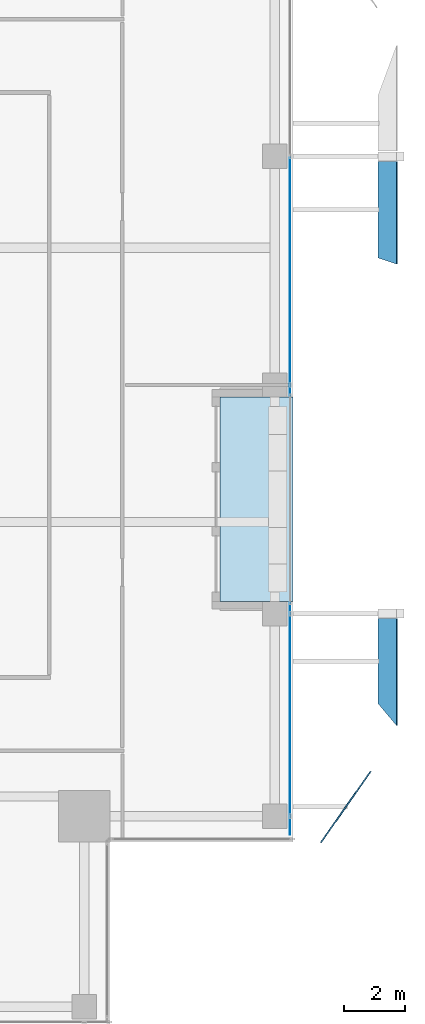
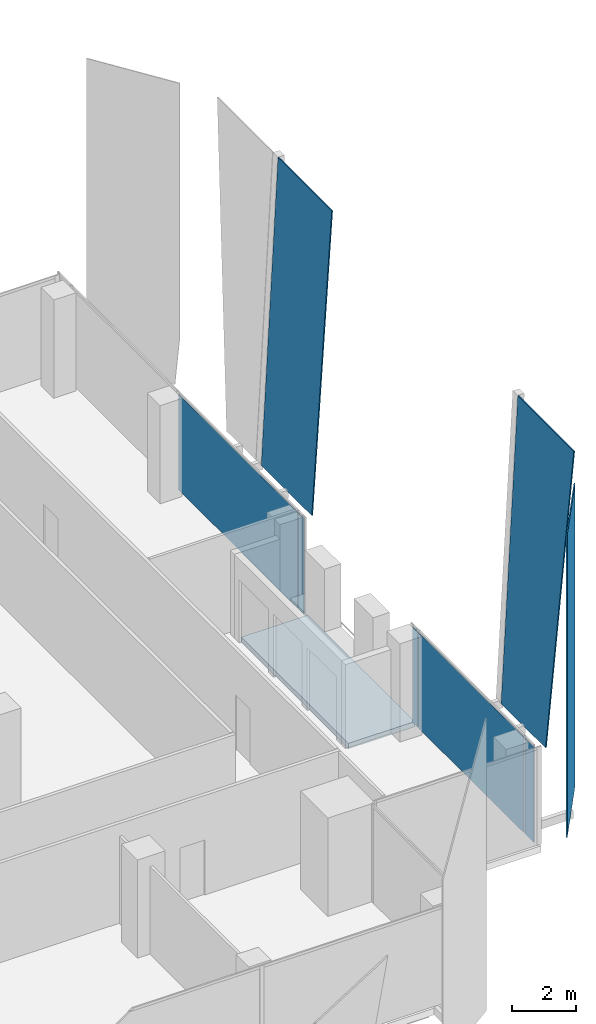
# One storey, part 23 of 32: 8 plates, 1 slab, 2 elements without a shape of their own.
"""IFC4 building model written with IfcOpenShell, lengths in metres."""

from ifc_helpers import new_model, si_unit, direction, frame, origin, origin_2d, place, context, subcontext, project, spatial, polyline, rectangle, outline, extrude, source, transform, mapped, material, layer, layer_set, type_object, element, aggregate, save


model = new_model("IFC4")

# Units and contexts
model_context = context("Model", 3, precision=1e-05, world=origin(), true_north=direction((0.0, 1.0)))
body_context = subcontext(model_context, "Body", "Model", "MODEL_VIEW")
ifc_project = project(units=[si_unit("LENGTHUNIT", "METRE"), si_unit("AREAUNIT", "SQUARE_METRE"), si_unit("VOLUMEUNIT", "CUBIC_METRE"), si_unit("PLANEANGLEUNIT", "RADIAN"), si_unit("MASSUNIT", "GRAM", prefix="KILO")], contexts=[model_context])

# Site, building, storey
site_placement = place(None, origin())
site = spatial("IfcSite", under=ifc_project, at=site_placement, CompositionType="ELEMENT")
building_placement = place(site_placement, origin())
building = spatial("IfcBuilding", under=site, at=building_placement, Name="Khomas Fold Tower", CompositionType="ELEMENT")
storey_placement = place(building_placement, frame((0.0, 0.0, 318.199951171875)))
storey = spatial("IfcBuildingStorey", under=building, at=storey_placement, Name="L72", CompositionType="ELEMENT", Elevation=318.199951171875)

# Plates
ifc_material_1 = material(Name="Clear laminated glass", Category="glass")
ifc_layer_1 = layer(ifc_material_1, 0.0400390625)
ifc_layer_set_1 = layer_set([ifc_layer_1], Name="Clear laminated glass")
plate_type_1 = type_object("IfcPlateType", Name="SK-Clear laminated glass leaf", PredefinedType="SHEET", material=ifc_layer_set_1)
plate_1_placement = place(storey_placement, frame((50.528076171875, 14.330078125, 11.550048828125), z_axis=(-0.819707764701, 0.572781965925, 0.0), x_axis=(0.0, 0.0, -1.0)))
element("IfcPlate", 1, at=plate_1_placement, inside=storey, type_object=plate_type_1, Name="OUTER SKIN glass L72 EG098-1", PredefinedType="SHEET", context=body_context, shape_type="SweptSolid", body=[
    extrude(outline(polyline([(0.0, 0.0), (11.550048828125, 0.0), (11.550048828125, 2.8425717375634925), (0.0, 2.8425717375634925), (0.0, 0.0)])), origin(), (0.0, 0.0, -1.0), 0.0400390625),
])
plate_2_placement = place(storey_placement, frame((50.78662109375, 16.55029296875, 0.0), z_axis=(-0.99862882819, 0.0, 0.052349436554), x_axis=(0.052247824406, -0.062276035864, 0.996690453552)))
element("IfcPlate", 2, at=plate_2_placement, inside=storey, type_object=plate_type_1, Name="OUTER SKIN glass L72 EG099-2", PredefinedType="SHEET", context=body_context, shape_type="SweptSolid", body=[
    extrude(outline(polyline([(0.0, 0.0), (11.588401180087285, 0.0), (11.37034382990063, 3.494668373972957), (-0.173114000085431, 2.7743894928222064), (0.0, 0.0)])), origin(), (0.0, 0.0, -1.0), 0.0400390625),
])
plate_3_placement = place(storey_placement, frame((51.39208984375, 30.968017578125, 11.550048828125), z_axis=(-0.99862882819, 0.0, 0.052349436554), x_axis=(0.0, 1.0, 0.0)))
element("IfcPlate", 3, at=plate_3_placement, inside=storey, type_object=plate_type_1, Name="OUTER SKIN glass L72 EG102-4", PredefinedType="SHEET", context=body_context, shape_type="SweptSolid", body=[
    extrude(outline(polyline([(0.0, 0.0), (3.362060546875, 0.0), (3.362060546875, 11.565907674683308), (0.201904296875, 11.565907674683308), (0.0, 0.0)])), origin(), (0.0, 0.0, -1.0), 0.0400390625),
])

# Curtain wall, plates
ifc_material_2 = material(Name="Aluminium framed double glazing", Category="aluminium")
curtain_wall_type = type_object("IfcCurtainWallType", Name="SK-Unitised clear-glass wall, upper floors CW3", PredefinedType="NOTDEFINED", material=ifc_material_2)
curtain_wall_1_placement = place(storey_placement, origin())
curtain_wall_1 = element("IfcCurtainWall", 4, at=curtain_wall_1_placement, inside=storey, type_object=curtain_wall_type, Name="CW3 run L72 03-0", PredefinedType="NOTDEFINED")
ifc_material_3 = material(Name="Clear double glazed unit")
ifc_layer_2 = layer(ifc_material_3, 0.028076171875)
ifc_layer_set_2 = layer_set([ifc_layer_2], Name="Clear double glazed unit")
plate_type_2 = type_object("IfcPlateType", Name="SK-Unitised clear-glass wall, upper floors glass panel CW3-P", PredefinedType="CURTAIN_PANEL", material=ifc_layer_set_2)
shared_shape_1 = source(origin(), body_context, "Body", "SweptSolid", [
    extrude(rectangle(XDim=0.574951171875, YDim=0.028076171875, at=origin_2d()), origin(), (0.0, 0.0, 1.0), 3.64990234375),
])
plate_4_placement = place(storey_placement, frame((47.89990234375, 12.53759765625, 0.0), z_axis=(0.0, 0.0, 1.0), x_axis=(0.0, 1.0, 0.0)))
plate_4 = element("IfcPlate", 5, at=plate_4_placement, type_object=plate_type_2, Name="CW3 glass panel 1", PredefinedType="CURTAIN_PANEL", context=body_context, shape_type="MappedRepresentation", body=[
    mapped(shared_shape_1, transform((0.0, 0.0, 0.0))),
])
shared_shape_2 = source(origin(), body_context, "Body", "SweptSolid", [
    extrude(rectangle(XDim=6.60009765625, YDim=0.028076171875, at=origin_2d()), origin(), (0.0, 0.0, 1.0), 3.64990234375),
])
plate_5_placement = place(storey_placement, frame((47.89990234375, 16.175048828125, 0.0), z_axis=(0.0, 0.0, 1.0), x_axis=(0.0, 1.0, 0.0)))
plate_5 = element("IfcPlate", 6, at=plate_5_placement, type_object=plate_type_2, Name="CW3 glass panel 2", PredefinedType="CURTAIN_PANEL", context=body_context, shape_type="MappedRepresentation", body=[
    mapped(shared_shape_2, transform((0.0, 0.0, 0.0))),
])

# Curtain wall, plate
curtain_wall_2_placement = place(storey_placement, origin())
curtain_wall_2 = element("IfcCurtainWall", 7, at=curtain_wall_2_placement, inside=storey, type_object=curtain_wall_type, Name="CW3 run L72 03-1", PredefinedType="NOTDEFINED")
shared_shape_3 = source(origin(), body_context, "Body", "SweptSolid", [
    extrude(rectangle(XDim=7.449951171875, YDim=0.028076171875, at=origin_2d()), origin(), (0.0, 0.0, 1.0), 3.64990234375),
])
plate_6_placement = place(storey_placement, frame((47.89990234375, 30.75, 0.0), z_axis=(0.0, 0.0, 1.0), x_axis=(0.0, 1.0, 0.0)))
plate_6 = element("IfcPlate", 8, at=plate_6_placement, type_object=plate_type_2, Name="CW3 glass panel 2", PredefinedType="CURTAIN_PANEL", context=body_context, shape_type="MappedRepresentation", body=[
    mapped(shared_shape_3, transform((0.0, 0.0, 0.0))),
])

# Plate
shared_shape_4 = source(origin(), body_context, "Body", "SweptSolid", [
    extrude(rectangle(XDim=0.324951171875, YDim=0.028076171875, at=origin_2d()), origin(), (0.0, 0.0, 1.0), 3.64990234375),
])
plate_7_placement = place(storey_placement, frame((47.89990234375, 19.6875, 0.0), z_axis=(0.0, 0.0, 1.0), x_axis=(0.0, 1.0, 0.0)))
plate_7 = element("IfcPlate", 9, at=plate_7_placement, type_object=plate_type_2, Name="CW3 glass panel 3", PredefinedType="CURTAIN_PANEL", context=body_context, shape_type="MappedRepresentation", body=[
    mapped(shared_shape_4, transform((0.0, 0.0, 0.0))),
])

aggregate(curtain_wall_1, [plate_4, plate_5, plate_7])

plate_8_placement = place(storey_placement, frame((47.89990234375, 26.8125, 0.0), z_axis=(0.0, 0.0, 1.0), x_axis=(0.0, 1.0, 0.0)))
plate_8 = element("IfcPlate", 10, at=plate_8_placement, type_object=plate_type_2, Name="CW3 glass panel 1", PredefinedType="CURTAIN_PANEL", context=body_context, shape_type="MappedRepresentation", body=[
    mapped(shared_shape_4, transform((0.0, 0.0, 0.0))),
])

aggregate(curtain_wall_2, [plate_8, plate_6])

# Slab
ifc_material_4 = material(Name="Concrete C40/50", Category="concrete")
ifc_layer_3 = layer(ifc_material_4, 0.205078125)
ifc_layer_set_3 = layer_set([ifc_layer_3], Name="Concrete C40/50")
slab_type = type_object("IfcSlabType", Name="BL-Balcony deck 205", PredefinedType="FLOOR", material=ifc_layer_set_3)
shared_shape_5 = source(origin(), body_context, "Body", "SweptSolid", [
    extrude(outline(polyline([(45.60009765625, 19.89990234375), (48.0, 19.89990234375), (48.0, 26.60009765625), (45.60009765625, 26.60009765625), (45.60009765625, 19.89990234375)])), origin(), (0.0, 0.0, 1.0), 0.205078125),
])
slab_placement = place(storey_placement, frame((0.0, 0.0, -0.25)))
element("IfcSlab", 11, at=slab_placement, inside=storey, type_object=slab_type, Name="Balcony deck BAL-L72-E2", PredefinedType="FLOOR", context=body_context, shape_type="MappedRepresentation", body=[
    mapped(shared_shape_5, transform((0.0, 0.0, 0.0))),
])

save(model, "model.ifc")
